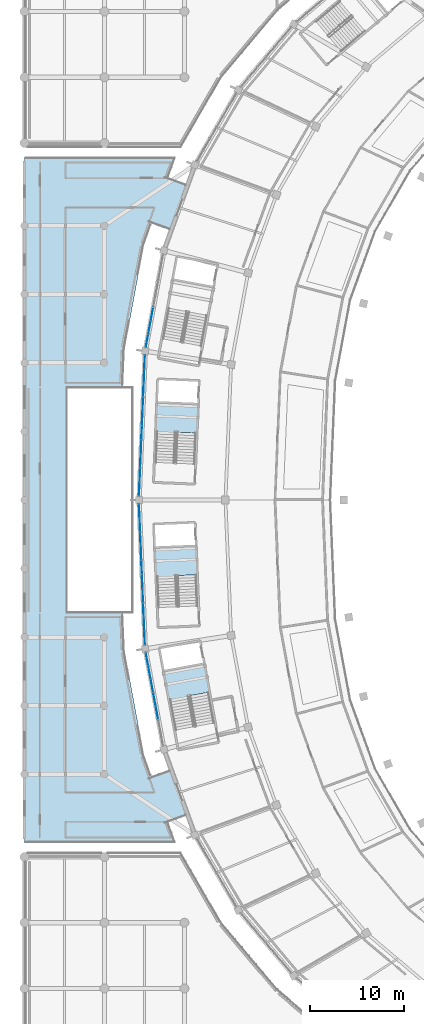
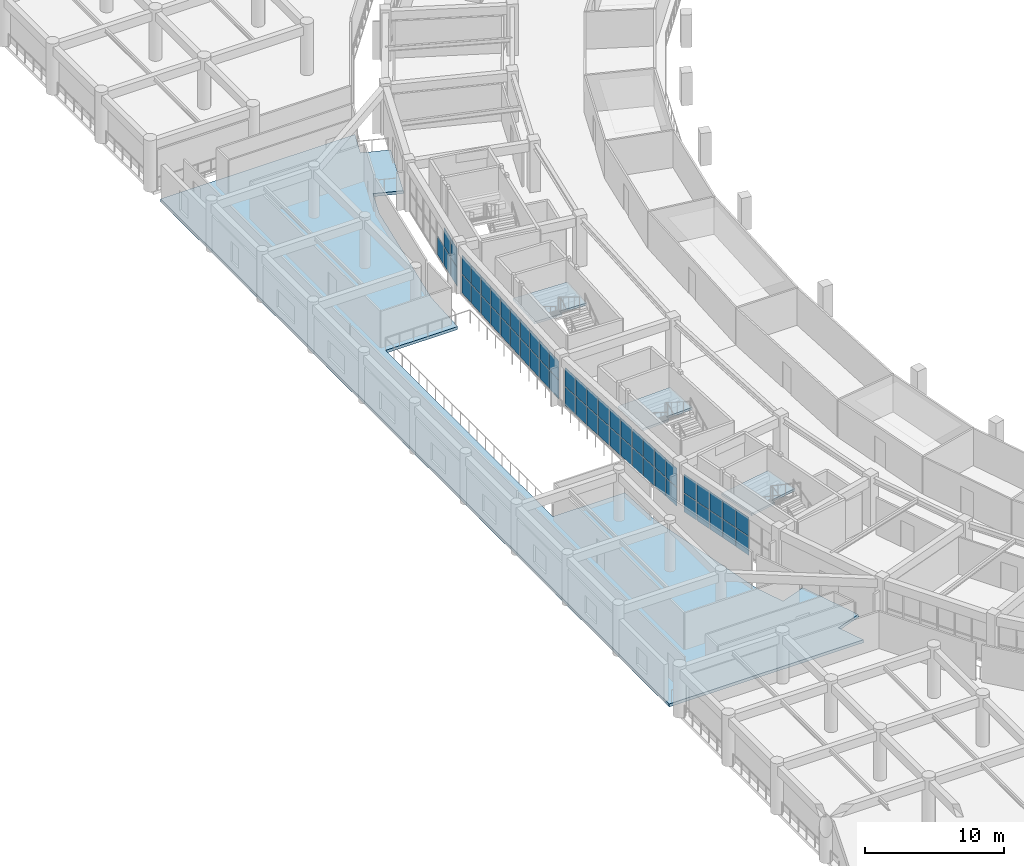
# One storey, part 76 of 141: 55 plates, 4 slabs, 7 elements without a shape of their own.
"""IFC4 building model written with IfcOpenShell, lengths in metres."""

from ifc_helpers import new_model, si_unit, direction, frame, origin, origin_2d, place, context, subcontext, project, spatial, polyline, rectangle, outline, extrude, material, layer, layer_set, type_object, element, aggregate, save


model = new_model("IFC4")

# Units and contexts
model_context = context("Model", 3, precision=1e-05, world=origin(), true_north=direction((0.0, 1.0)))
body_context = subcontext(model_context, "Body", "Model", "MODEL_VIEW")
ifc_project = project(units=[si_unit("LENGTHUNIT", "METRE"), si_unit("AREAUNIT", "SQUARE_METRE"), si_unit("VOLUMEUNIT", "CUBIC_METRE"), si_unit("PLANEANGLEUNIT", "RADIAN"), si_unit("MASSUNIT", "GRAM", prefix="KILO")], contexts=[model_context])

# Site, building, storey
site_placement = place(None, origin())
site = spatial("IfcSite", under=ifc_project, at=site_placement, CompositionType="ELEMENT")
building_placement = place(site_placement, origin())
building = spatial("IfcBuilding", under=site, at=building_placement, Name="Mphavela Belvedere Stadium", CompositionType="ELEMENT")
storey_placement = place(building_placement, frame((0.0, 0.0, 14.699951171875)))
storey = spatial("IfcBuildingStorey", under=building, at=storey_placement, Name="L03", CompositionType="ELEMENT", Elevation=14.699951171875)

# Curtain wall, plates
ifc_material_1 = material(Name="Anodised bronze unitised curtain wall framing")
ifc_layer_1 = layer(ifc_material_1, 0.179931640625)
ifc_layer_set_1 = layer_set([ifc_layer_1], Name="Anodised bronze unitised curtain wall framing")
curtain_wall_type_1 = type_object("IfcCurtainWallType", Name="CW-UNIT-01", PredefinedType="USERDEFINED", material=ifc_layer_set_1)
curtain_wall_1_placement = place(storey_placement, origin())
curtain_wall_1 = element("IfcCurtainWall", 1, at=curtain_wall_1_placement, inside=storey, type_object=curtain_wall_type_1, Name="Belvedere colonnade curtain wall L03-23", ObjectType="UNITISED CURTAIN WALL", PredefinedType="USERDEFINED")
ifc_material_2 = material(Name="Solar-control double glazing", Category="glass")
ifc_layer_2 = layer(ifc_material_2, 0.031982421875)
ifc_layer_set_2 = layer_set([ifc_layer_2], Name="Solar-control double glazing")
plate_type = type_object("IfcPlateType", Name="CWP-SOLAR-GLASS", PredefinedType="CURTAIN_PANEL", material=ifc_layer_set_2)
plate_1_placement = place(storey_placement, frame((13.574951171875, 106.77734375, 0.06005859375), z_axis=(0.0, 0.0, 1.0), x_axis=(-0.182631222254, -0.983181487142, 0.0)))
plate_1 = element("IfcPlate", 2, at=plate_1_placement, type_object=plate_type, Name="CW-01 panel 5.1", PredefinedType="CURTAIN_PANEL", context=body_context, shape_type="SweptSolid", body=[
    extrude(rectangle(XDim=1.3857421875, YDim=0.031982421875, at=origin_2d()), origin(), (0.0, 0.0, 1.0), 1.6201171875),
])
plate_2_placement = place(storey_placement, frame((13.31005859375, 105.35107421875, 0.06005859375), z_axis=(0.0, 0.0, 1.0), x_axis=(-0.182631222254, -0.983181487142, 0.0)))
plate_2 = element("IfcPlate", 3, at=plate_2_placement, type_object=plate_type, Name="CW-01 panel 6.1", PredefinedType="CURTAIN_PANEL", context=body_context, shape_type="SweptSolid", body=[
    extrude(rectangle(XDim=1.3857421875, YDim=0.031982421875, at=origin_2d()), origin(), (0.0, 0.0, 1.0), 1.6201171875),
])
plate_3_placement = place(storey_placement, frame((13.31005859375, 105.35107421875, 1.739990234375), z_axis=(0.0, 0.0, 1.0), x_axis=(-0.182631222254, -0.983181487142, 0.0)))
plate_3 = element("IfcPlate", 4, at=plate_3_placement, type_object=plate_type, Name="CW-01 panel 6.2", PredefinedType="CURTAIN_PANEL", context=body_context, shape_type="SweptSolid", body=[
    extrude(rectangle(XDim=1.3857421875, YDim=0.031982421875, at=origin_2d()), origin(), (0.0, 0.0, 1.0), 1.6201171875),
])
plate_4_placement = place(storey_placement, frame((13.048095703125, 103.94091796875, 0.06005859375), z_axis=(0.0, 0.0, 1.0), x_axis=(-0.182631222254, -0.983181487142, 0.0)))
plate_4 = element("IfcPlate", 5, at=plate_4_placement, type_object=plate_type, Name="CW-01 panel 7.1", PredefinedType="CURTAIN_PANEL", context=body_context, shape_type="SweptSolid", body=[
    extrude(rectangle(XDim=1.353271484375, YDim=0.031982421875, at=origin_2d()), origin(), (0.0, 0.0, 1.0), 1.6201171875),
])
plate_5_placement = place(storey_placement, frame((13.048095703125, 103.94091796875, 1.739990234375), z_axis=(0.0, 0.0, 1.0), x_axis=(-0.182631222254, -0.983181487142, 0.0)))
plate_5 = element("IfcPlate", 6, at=plate_5_placement, type_object=plate_type, Name="CW-01 panel 7.2", PredefinedType="CURTAIN_PANEL", context=body_context, shape_type="SweptSolid", body=[
    extrude(rectangle(XDim=1.353271484375, YDim=0.031982421875, at=origin_2d()), origin(), (0.0, 0.0, 1.0), 1.6201171875),
])
aggregate(curtain_wall_1, [plate_1, plate_2, plate_3, plate_4, plate_5])

ifc_material_3 = material(Name="Anodised bronze unitised curtain wall framing")
ifc_layer_3 = layer(ifc_material_3, 0.18505859375)
ifc_layer_set_3 = layer_set([ifc_layer_3], Name="Anodised bronze unitised curtain wall framing")
curtain_wall_type_2 = type_object("IfcCurtainWallType", Name="CW-UNIT-02", PredefinedType="USERDEFINED", material=ifc_layer_set_3)
curtain_wall_2_placement = place(storey_placement, origin())
curtain_wall_2 = element("IfcCurtainWall", 7, at=curtain_wall_2_placement, inside=storey, type_object=curtain_wall_type_2, Name="Belvedere colonnade curtain wall L03-24", ObjectType="UNITISED CURTAIN WALL", PredefinedType="USERDEFINED")
plate_6_placement = place(storey_placement, frame((12.796630859375, 101.701171875, 0.06005859375), z_axis=(0.0, 0.0, 1.0), x_axis=(-0.041911272788, -0.999121336582, 0.0)))
plate_6 = element("IfcPlate", 8, at=plate_6_placement, type_object=plate_type, Name="CW-02 panel 1.1", PredefinedType="CURTAIN_PANEL", context=body_context, shape_type="SweptSolid", body=[
    extrude(rectangle(XDim=1.413818359375, YDim=0.031982421875, at=origin_2d()), origin(), (0.0, 0.0, 1.0), 1.6201171875),
])
plate_7_placement = place(storey_placement, frame((12.796630859375, 101.701171875, 1.739990234375), z_axis=(0.0, 0.0, 1.0), x_axis=(-0.041911272788, -0.999121336582, 0.0)))
plate_7 = element("IfcPlate", 9, at=plate_7_placement, type_object=plate_type, Name="CW-02 panel 1.2", PredefinedType="CURTAIN_PANEL", context=body_context, shape_type="SweptSolid", body=[
    extrude(rectangle(XDim=1.413818359375, YDim=0.031982421875, at=origin_2d()), origin(), (0.0, 0.0, 1.0), 1.6201171875),
])
plate_8_placement = place(storey_placement, frame((12.73388671875, 100.207275390625, 0.06005859375), z_axis=(0.0, 0.0, 1.0), x_axis=(-0.041911272788, -0.999121336582, 0.0)))
plate_8 = element("IfcPlate", 10, at=plate_8_placement, type_object=plate_type, Name="CW-02 panel 2.1", PredefinedType="CURTAIN_PANEL", context=body_context, shape_type="SweptSolid", body=[
    extrude(rectangle(XDim=1.4462890625, YDim=0.031982421875, at=origin_2d()), origin(), (0.0, 0.0, 1.0), 1.6201171875),
])
plate_9_placement = place(storey_placement, frame((12.73388671875, 100.207275390625, 1.739990234375), z_axis=(0.0, 0.0, 1.0), x_axis=(-0.041911272788, -0.999121336582, 0.0)))
plate_9 = element("IfcPlate", 11, at=plate_9_placement, type_object=plate_type, Name="CW-02 panel 2.2", PredefinedType="CURTAIN_PANEL", context=body_context, shape_type="SweptSolid", body=[
    extrude(rectangle(XDim=1.4462890625, YDim=0.031982421875, at=origin_2d()), origin(), (0.0, 0.0, 1.0), 1.6201171875),
])
plate_10_placement = place(storey_placement, frame((12.670654296875, 98.697509765625, 0.06005859375), z_axis=(0.0, 0.0, 1.0), x_axis=(-0.041911272788, -0.999121336582, 0.0)))
plate_10 = element("IfcPlate", 12, at=plate_10_placement, type_object=plate_type, Name="CW-02 panel 3.1", PredefinedType="CURTAIN_PANEL", context=body_context, shape_type="SweptSolid", body=[
    extrude(rectangle(XDim=1.4462890625, YDim=0.031982421875, at=origin_2d()), origin(), (0.0, 0.0, 1.0), 1.6201171875),
])
plate_11_placement = place(storey_placement, frame((12.670654296875, 98.697509765625, 1.739990234375), z_axis=(0.0, 0.0, 1.0), x_axis=(-0.041911272788, -0.999121336582, 0.0)))
plate_11 = element("IfcPlate", 13, at=plate_11_placement, type_object=plate_type, Name="CW-02 panel 3.2", PredefinedType="CURTAIN_PANEL", context=body_context, shape_type="SweptSolid", body=[
    extrude(rectangle(XDim=1.4462890625, YDim=0.031982421875, at=origin_2d()), origin(), (0.0, 0.0, 1.0), 1.6201171875),
])
plate_12_placement = place(storey_placement, frame((12.607421875, 97.1875, 0.06005859375), z_axis=(0.0, 0.0, 1.0), x_axis=(-0.041911272788, -0.999121336582, 0.0)))
plate_12 = element("IfcPlate", 14, at=plate_12_placement, type_object=plate_type, Name="CW-02 panel 4.1", PredefinedType="CURTAIN_PANEL", context=body_context, shape_type="SweptSolid", body=[
    extrude(rectangle(XDim=1.4462890625, YDim=0.031982421875, at=origin_2d()), origin(), (0.0, 0.0, 1.0), 1.6201171875),
])
plate_13_placement = place(storey_placement, frame((12.607421875, 97.1875, 1.739990234375), z_axis=(0.0, 0.0, 1.0), x_axis=(-0.041911272788, -0.999121336582, 0.0)))
plate_13 = element("IfcPlate", 15, at=plate_13_placement, type_object=plate_type, Name="CW-02 panel 4.2", PredefinedType="CURTAIN_PANEL", context=body_context, shape_type="SweptSolid", body=[
    extrude(rectangle(XDim=1.4462890625, YDim=0.031982421875, at=origin_2d()), origin(), (0.0, 0.0, 1.0), 1.6201171875),
])
plate_14_placement = place(storey_placement, frame((12.5439453125, 95.677490234375, 0.06005859375), z_axis=(0.0, 0.0, 1.0), x_axis=(-0.041911272788, -0.999121336582, 0.0)))
plate_14 = element("IfcPlate", 16, at=plate_14_placement, type_object=plate_type, Name="CW-02 panel 5.1", PredefinedType="CURTAIN_PANEL", context=body_context, shape_type="SweptSolid", body=[
    extrude(rectangle(XDim=1.4462890625, YDim=0.031982421875, at=origin_2d()), origin(), (0.0, 0.0, 1.0), 1.6201171875),
])
plate_15_placement = place(storey_placement, frame((12.5439453125, 95.677490234375, 1.739990234375), z_axis=(0.0, 0.0, 1.0), x_axis=(-0.041911272788, -0.999121336582, 0.0)))
plate_15 = element("IfcPlate", 17, at=plate_15_placement, type_object=plate_type, Name="CW-02 panel 5.2", PredefinedType="CURTAIN_PANEL", context=body_context, shape_type="SweptSolid", body=[
    extrude(rectangle(XDim=1.4462890625, YDim=0.031982421875, at=origin_2d()), origin(), (0.0, 0.0, 1.0), 1.6201171875),
])
plate_16_placement = place(storey_placement, frame((12.480712890625, 94.16748046875, 0.06005859375), z_axis=(0.0, 0.0, 1.0), x_axis=(-0.041911272788, -0.999121336582, 0.0)))
plate_16 = element("IfcPlate", 18, at=plate_16_placement, type_object=plate_type, Name="CW-02 panel 6.1", PredefinedType="CURTAIN_PANEL", context=body_context, shape_type="SweptSolid", body=[
    extrude(rectangle(XDim=1.4462890625, YDim=0.031982421875, at=origin_2d()), origin(), (0.0, 0.0, 1.0), 1.6201171875),
])
plate_17_placement = place(storey_placement, frame((12.480712890625, 94.16748046875, 1.739990234375), z_axis=(0.0, 0.0, 1.0), x_axis=(-0.041911272788, -0.999121336582, 0.0)))
plate_17 = element("IfcPlate", 19, at=plate_17_placement, type_object=plate_type, Name="CW-02 panel 6.2", PredefinedType="CURTAIN_PANEL", context=body_context, shape_type="SweptSolid", body=[
    extrude(rectangle(XDim=1.4462890625, YDim=0.031982421875, at=origin_2d()), origin(), (0.0, 0.0, 1.0), 1.6201171875),
])
plate_18_placement = place(storey_placement, frame((12.417236328125, 92.657470703125, 0.06005859375), z_axis=(0.0, 0.0, 1.0), x_axis=(-0.041911272788, -0.999121336582, 0.0)))
plate_18 = element("IfcPlate", 20, at=plate_18_placement, type_object=plate_type, Name="CW-02 panel 7.1", PredefinedType="CURTAIN_PANEL", context=body_context, shape_type="SweptSolid", body=[
    extrude(rectangle(XDim=1.4462890625, YDim=0.031982421875, at=origin_2d()), origin(), (0.0, 0.0, 1.0), 1.6201171875),
])
plate_19_placement = place(storey_placement, frame((12.417236328125, 92.657470703125, 1.739990234375), z_axis=(0.0, 0.0, 1.0), x_axis=(-0.041911272788, -0.999121336582, 0.0)))
plate_19 = element("IfcPlate", 21, at=plate_19_placement, type_object=plate_type, Name="CW-02 panel 7.2", PredefinedType="CURTAIN_PANEL", context=body_context, shape_type="SweptSolid", body=[
    extrude(rectangle(XDim=1.4462890625, YDim=0.031982421875, at=origin_2d()), origin(), (0.0, 0.0, 1.0), 1.6201171875),
])
plate_20_placement = place(storey_placement, frame((12.35400390625, 91.147705078125, 0.06005859375), z_axis=(0.0, 0.0, 1.0), x_axis=(-0.041911272788, -0.999121336582, 0.0)))
plate_20 = element("IfcPlate", 22, at=plate_20_placement, type_object=plate_type, Name="CW-02 panel 8.1", PredefinedType="CURTAIN_PANEL", context=body_context, shape_type="SweptSolid", body=[
    extrude(rectangle(XDim=1.4462890625, YDim=0.031982421875, at=origin_2d()), origin(), (0.0, 0.0, 1.0), 1.6201171875),
])
plate_21_placement = place(storey_placement, frame((12.35400390625, 91.147705078125, 1.739990234375), z_axis=(0.0, 0.0, 1.0), x_axis=(-0.041911272788, -0.999121336582, 0.0)))
plate_21 = element("IfcPlate", 23, at=plate_21_placement, type_object=plate_type, Name="CW-02 panel 8.2", PredefinedType="CURTAIN_PANEL", context=body_context, shape_type="SweptSolid", body=[
    extrude(rectangle(XDim=1.4462890625, YDim=0.031982421875, at=origin_2d()), origin(), (0.0, 0.0, 1.0), 1.6201171875),
])
plate_22_placement = place(storey_placement, frame((12.29052734375, 89.6376953125, 0.06005859375), z_axis=(0.0, 0.0, 1.0), x_axis=(-0.041911272788, -0.999121336582, 0.0)))
plate_22 = element("IfcPlate", 24, at=plate_22_placement, type_object=plate_type, Name="CW-02 panel 9.1", PredefinedType="CURTAIN_PANEL", context=body_context, shape_type="SweptSolid", body=[
    extrude(rectangle(XDim=1.4462890625, YDim=0.031982421875, at=origin_2d()), origin(), (0.0, 0.0, 1.0), 1.6201171875),
])
plate_23_placement = place(storey_placement, frame((12.29052734375, 89.6376953125, 1.739990234375), z_axis=(0.0, 0.0, 1.0), x_axis=(-0.041911272788, -0.999121336582, 0.0)))
plate_23 = element("IfcPlate", 25, at=plate_23_placement, type_object=plate_type, Name="CW-02 panel 9.2", PredefinedType="CURTAIN_PANEL", context=body_context, shape_type="SweptSolid", body=[
    extrude(rectangle(XDim=1.4462890625, YDim=0.031982421875, at=origin_2d()), origin(), (0.0, 0.0, 1.0), 1.6201171875),
])
plate_24_placement = place(storey_placement, frame((12.22802734375, 88.143798828125, 0.06005859375), z_axis=(0.0, 0.0, 1.0), x_axis=(-0.041911272788, -0.999121336582, 0.0)))
plate_24 = element("IfcPlate", 26, at=plate_24_placement, type_object=plate_type, Name="CW-02 panel 10.1", PredefinedType="CURTAIN_PANEL", context=body_context, shape_type="SweptSolid", body=[
    extrude(rectangle(XDim=1.413818359375, YDim=0.031982421875, at=origin_2d()), origin(), (0.0, 0.0, 1.0), 1.6201171875),
])
plate_25_placement = place(storey_placement, frame((12.22802734375, 88.143798828125, 1.739990234375), z_axis=(0.0, 0.0, 1.0), x_axis=(-0.041911272788, -0.999121336582, 0.0)))
plate_25 = element("IfcPlate", 27, at=plate_25_placement, type_object=plate_type, Name="CW-02 panel 10.2", PredefinedType="CURTAIN_PANEL", context=body_context, shape_type="SweptSolid", body=[
    extrude(rectangle(XDim=1.413818359375, YDim=0.031982421875, at=origin_2d()), origin(), (0.0, 0.0, 1.0), 1.6201171875),
])
aggregate(curtain_wall_2, [plate_6, plate_7, plate_8, plate_9, plate_10, plate_11, plate_12, plate_13, plate_14, plate_15, plate_16, plate_17, plate_18, plate_19, plate_20, plate_21, plate_22, plate_23, plate_24, plate_25])

ifc_material_4 = material(Name="Anodised bronze unitised curtain wall framing")
ifc_layer_4 = layer(ifc_material_4, 0.18994140625)
ifc_layer_set_4 = layer_set([ifc_layer_4], Name="Anodised bronze unitised curtain wall framing")
curtain_wall_type_3 = type_object("IfcCurtainWallType", Name="CW-UNIT-03", PredefinedType="USERDEFINED", material=ifc_layer_set_4)
curtain_wall_3_placement = place(storey_placement, origin())
curtain_wall_3 = element("IfcCurtainWall", 28, at=curtain_wall_3_placement, inside=storey, type_object=curtain_wall_type_3, Name="Belvedere colonnade curtain wall L03-25", ObjectType="UNITISED CURTAIN WALL", PredefinedType="USERDEFINED")
plate_26_placement = place(storey_placement, frame((12.22802734375, 85.856201171875, 0.06005859375), z_axis=(0.0, 0.0, 1.0), x_axis=(0.041911272788, -0.999121336582, 0.0)))
plate_26 = element("IfcPlate", 29, at=plate_26_placement, type_object=plate_type, Name="CW-03 panel 1.1", PredefinedType="CURTAIN_PANEL", context=body_context, shape_type="SweptSolid", body=[
    extrude(rectangle(XDim=1.413818359375, YDim=0.031982421875, at=origin_2d()), origin(), (0.0, 0.0, 1.0), 1.6201171875),
])
plate_27_placement = place(storey_placement, frame((12.22802734375, 85.856201171875, 1.739990234375), z_axis=(0.0, 0.0, 1.0), x_axis=(0.041911272788, -0.999121336582, 0.0)))
plate_27 = element("IfcPlate", 30, at=plate_27_placement, type_object=plate_type, Name="CW-03 panel 1.2", PredefinedType="CURTAIN_PANEL", context=body_context, shape_type="SweptSolid", body=[
    extrude(rectangle(XDim=1.413818359375, YDim=0.031982421875, at=origin_2d()), origin(), (0.0, 0.0, 1.0), 1.6201171875),
])
plate_28_placement = place(storey_placement, frame((12.29052734375, 84.3623046875, 0.06005859375), z_axis=(0.0, 0.0, 1.0), x_axis=(0.041911272788, -0.999121336582, 0.0)))
plate_28 = element("IfcPlate", 31, at=plate_28_placement, type_object=plate_type, Name="CW-03 panel 2.1", PredefinedType="CURTAIN_PANEL", context=body_context, shape_type="SweptSolid", body=[
    extrude(rectangle(XDim=1.4462890625, YDim=0.031982421875, at=origin_2d()), origin(), (0.0, 0.0, 1.0), 1.6201171875),
])
plate_29_placement = place(storey_placement, frame((12.29052734375, 84.3623046875, 1.739990234375), z_axis=(0.0, 0.0, 1.0), x_axis=(0.041911272788, -0.999121336582, 0.0)))
plate_29 = element("IfcPlate", 32, at=plate_29_placement, type_object=plate_type, Name="CW-03 panel 2.2", PredefinedType="CURTAIN_PANEL", context=body_context, shape_type="SweptSolid", body=[
    extrude(rectangle(XDim=1.4462890625, YDim=0.031982421875, at=origin_2d()), origin(), (0.0, 0.0, 1.0), 1.6201171875),
])
plate_30_placement = place(storey_placement, frame((12.35400390625, 82.852294921875, 0.06005859375), z_axis=(0.0, 0.0, 1.0), x_axis=(0.041911272788, -0.999121336582, 0.0)))
plate_30 = element("IfcPlate", 33, at=plate_30_placement, type_object=plate_type, Name="CW-03 panel 3.1", PredefinedType="CURTAIN_PANEL", context=body_context, shape_type="SweptSolid", body=[
    extrude(rectangle(XDim=1.4462890625, YDim=0.031982421875, at=origin_2d()), origin(), (0.0, 0.0, 1.0), 1.6201171875),
])
plate_31_placement = place(storey_placement, frame((12.35400390625, 82.852294921875, 1.739990234375), z_axis=(0.0, 0.0, 1.0), x_axis=(0.041911272788, -0.999121336582, 0.0)))
plate_31 = element("IfcPlate", 34, at=plate_31_placement, type_object=plate_type, Name="CW-03 panel 3.2", PredefinedType="CURTAIN_PANEL", context=body_context, shape_type="SweptSolid", body=[
    extrude(rectangle(XDim=1.4462890625, YDim=0.031982421875, at=origin_2d()), origin(), (0.0, 0.0, 1.0), 1.6201171875),
])
plate_32_placement = place(storey_placement, frame((12.417236328125, 81.342529296875, 0.06005859375), z_axis=(0.0, 0.0, 1.0), x_axis=(0.041911272788, -0.999121336582, 0.0)))
plate_32 = element("IfcPlate", 35, at=plate_32_placement, type_object=plate_type, Name="CW-03 panel 4.1", PredefinedType="CURTAIN_PANEL", context=body_context, shape_type="SweptSolid", body=[
    extrude(rectangle(XDim=1.4462890625, YDim=0.031982421875, at=origin_2d()), origin(), (0.0, 0.0, 1.0), 1.6201171875),
])
plate_33_placement = place(storey_placement, frame((12.417236328125, 81.342529296875, 1.739990234375), z_axis=(0.0, 0.0, 1.0), x_axis=(0.041911272788, -0.999121336582, 0.0)))
plate_33 = element("IfcPlate", 36, at=plate_33_placement, type_object=plate_type, Name="CW-03 panel 4.2", PredefinedType="CURTAIN_PANEL", context=body_context, shape_type="SweptSolid", body=[
    extrude(rectangle(XDim=1.4462890625, YDim=0.031982421875, at=origin_2d()), origin(), (0.0, 0.0, 1.0), 1.6201171875),
])
plate_34_placement = place(storey_placement, frame((12.480712890625, 79.83251953125, 0.06005859375), z_axis=(0.0, 0.0, 1.0), x_axis=(0.041911272788, -0.999121336582, 0.0)))
plate_34 = element("IfcPlate", 37, at=plate_34_placement, type_object=plate_type, Name="CW-03 panel 5.1", PredefinedType="CURTAIN_PANEL", context=body_context, shape_type="SweptSolid", body=[
    extrude(rectangle(XDim=1.4462890625, YDim=0.031982421875, at=origin_2d()), origin(), (0.0, 0.0, 1.0), 1.6201171875),
])
plate_35_placement = place(storey_placement, frame((12.480712890625, 79.83251953125, 1.739990234375), z_axis=(0.0, 0.0, 1.0), x_axis=(0.041911272788, -0.999121336582, 0.0)))
plate_35 = element("IfcPlate", 38, at=plate_35_placement, type_object=plate_type, Name="CW-03 panel 5.2", PredefinedType="CURTAIN_PANEL", context=body_context, shape_type="SweptSolid", body=[
    extrude(rectangle(XDim=1.4462890625, YDim=0.031982421875, at=origin_2d()), origin(), (0.0, 0.0, 1.0), 1.6201171875),
])
plate_36_placement = place(storey_placement, frame((12.5439453125, 78.322509765625, 0.06005859375), z_axis=(0.0, 0.0, 1.0), x_axis=(0.041911272788, -0.999121336582, 0.0)))
plate_36 = element("IfcPlate", 39, at=plate_36_placement, type_object=plate_type, Name="CW-03 panel 6.1", PredefinedType="CURTAIN_PANEL", context=body_context, shape_type="SweptSolid", body=[
    extrude(rectangle(XDim=1.4462890625, YDim=0.031982421875, at=origin_2d()), origin(), (0.0, 0.0, 1.0), 1.6201171875),
])
plate_37_placement = place(storey_placement, frame((12.5439453125, 78.322509765625, 1.739990234375), z_axis=(0.0, 0.0, 1.0), x_axis=(0.041911272788, -0.999121336582, 0.0)))
plate_37 = element("IfcPlate", 40, at=plate_37_placement, type_object=plate_type, Name="CW-03 panel 6.2", PredefinedType="CURTAIN_PANEL", context=body_context, shape_type="SweptSolid", body=[
    extrude(rectangle(XDim=1.4462890625, YDim=0.031982421875, at=origin_2d()), origin(), (0.0, 0.0, 1.0), 1.6201171875),
])
plate_38_placement = place(storey_placement, frame((12.607421875, 76.8125, 0.06005859375), z_axis=(0.0, 0.0, 1.0), x_axis=(0.041911272788, -0.999121336582, 0.0)))
plate_38 = element("IfcPlate", 41, at=plate_38_placement, type_object=plate_type, Name="CW-03 panel 7.1", PredefinedType="CURTAIN_PANEL", context=body_context, shape_type="SweptSolid", body=[
    extrude(rectangle(XDim=1.4462890625, YDim=0.031982421875, at=origin_2d()), origin(), (0.0, 0.0, 1.0), 1.6201171875),
])
plate_39_placement = place(storey_placement, frame((12.607421875, 76.8125, 1.739990234375), z_axis=(0.0, 0.0, 1.0), x_axis=(0.041911272788, -0.999121336582, 0.0)))
plate_39 = element("IfcPlate", 42, at=plate_39_placement, type_object=plate_type, Name="CW-03 panel 7.2", PredefinedType="CURTAIN_PANEL", context=body_context, shape_type="SweptSolid", body=[
    extrude(rectangle(XDim=1.4462890625, YDim=0.031982421875, at=origin_2d()), origin(), (0.0, 0.0, 1.0), 1.6201171875),
])
plate_40_placement = place(storey_placement, frame((12.670654296875, 75.302490234375, 0.06005859375), z_axis=(0.0, 0.0, 1.0), x_axis=(0.041911272788, -0.999121336582, 0.0)))
plate_40 = element("IfcPlate", 43, at=plate_40_placement, type_object=plate_type, Name="CW-03 panel 8.1", PredefinedType="CURTAIN_PANEL", context=body_context, shape_type="SweptSolid", body=[
    extrude(rectangle(XDim=1.4462890625, YDim=0.031982421875, at=origin_2d()), origin(), (0.0, 0.0, 1.0), 1.6201171875),
])
plate_41_placement = place(storey_placement, frame((12.670654296875, 75.302490234375, 1.739990234375), z_axis=(0.0, 0.0, 1.0), x_axis=(0.041911272788, -0.999121336582, 0.0)))
plate_41 = element("IfcPlate", 44, at=plate_41_placement, type_object=plate_type, Name="CW-03 panel 8.2", PredefinedType="CURTAIN_PANEL", context=body_context, shape_type="SweptSolid", body=[
    extrude(rectangle(XDim=1.4462890625, YDim=0.031982421875, at=origin_2d()), origin(), (0.0, 0.0, 1.0), 1.6201171875),
])
plate_42_placement = place(storey_placement, frame((12.73388671875, 73.792724609375, 0.06005859375), z_axis=(0.0, 0.0, 1.0), x_axis=(0.041911272788, -0.999121336582, 0.0)))
plate_42 = element("IfcPlate", 45, at=plate_42_placement, type_object=plate_type, Name="CW-03 panel 9.1", PredefinedType="CURTAIN_PANEL", context=body_context, shape_type="SweptSolid", body=[
    extrude(rectangle(XDim=1.4462890625, YDim=0.031982421875, at=origin_2d()), origin(), (0.0, 0.0, 1.0), 1.6201171875),
])
plate_43_placement = place(storey_placement, frame((12.73388671875, 73.792724609375, 1.739990234375), z_axis=(0.0, 0.0, 1.0), x_axis=(0.041911272788, -0.999121336582, 0.0)))
plate_43 = element("IfcPlate", 46, at=plate_43_placement, type_object=plate_type, Name="CW-03 panel 9.2", PredefinedType="CURTAIN_PANEL", context=body_context, shape_type="SweptSolid", body=[
    extrude(rectangle(XDim=1.4462890625, YDim=0.031982421875, at=origin_2d()), origin(), (0.0, 0.0, 1.0), 1.6201171875),
])
plate_44_placement = place(storey_placement, frame((12.796630859375, 72.298828125, 0.06005859375), z_axis=(0.0, 0.0, 1.0), x_axis=(0.041911272788, -0.999121336582, 0.0)))
plate_44 = element("IfcPlate", 47, at=plate_44_placement, type_object=plate_type, Name="CW-03 panel 10.1", PredefinedType="CURTAIN_PANEL", context=body_context, shape_type="SweptSolid", body=[
    extrude(rectangle(XDim=1.413818359375, YDim=0.031982421875, at=origin_2d()), origin(), (0.0, 0.0, 1.0), 1.6201171875),
])
plate_45_placement = place(storey_placement, frame((12.796630859375, 72.298828125, 1.739990234375), z_axis=(0.0, 0.0, 1.0), x_axis=(0.041911272788, -0.999121336582, 0.0)))
plate_45 = element("IfcPlate", 48, at=plate_45_placement, type_object=plate_type, Name="CW-03 panel 10.2", PredefinedType="CURTAIN_PANEL", context=body_context, shape_type="SweptSolid", body=[
    extrude(rectangle(XDim=1.413818359375, YDim=0.031982421875, at=origin_2d()), origin(), (0.0, 0.0, 1.0), 1.6201171875),
])
aggregate(curtain_wall_3, [plate_26, plate_27, plate_28, plate_29, plate_30, plate_31, plate_32, plate_33, plate_34, plate_35, plate_36, plate_37, plate_38, plate_39, plate_40, plate_41, plate_42, plate_43, plate_44, plate_45])

ifc_material_5 = material(Name="Anodised bronze unitised curtain wall framing")
ifc_layer_5 = layer(ifc_material_5, 0.195068359375)
ifc_layer_set_5 = layer_set([ifc_layer_5], Name="Anodised bronze unitised curtain wall framing")
curtain_wall_type_4 = type_object("IfcCurtainWallType", Name="CW-UNIT-04", PredefinedType="USERDEFINED", material=ifc_layer_set_5)
curtain_wall_4_placement = place(storey_placement, origin())
curtain_wall_4 = element("IfcCurtainWall", 49, at=curtain_wall_4_placement, inside=storey, type_object=curtain_wall_type_4, Name="Belvedere colonnade curtain wall L03-26", ObjectType="UNITISED CURTAIN WALL", PredefinedType="USERDEFINED")
plate_46_placement = place(storey_placement, frame((13.048095703125, 70.05908203125, 0.06005859375), z_axis=(0.0, 0.0, 1.0), x_axis=(0.182631222254, -0.983181487142, 0.0)))
plate_46 = element("IfcPlate", 50, at=plate_46_placement, type_object=plate_type, Name="CW-04 panel 1.1", PredefinedType="CURTAIN_PANEL", context=body_context, shape_type="SweptSolid", body=[
    extrude(rectangle(XDim=1.353271484375, YDim=0.031982421875, at=origin_2d()), origin(), (0.0, 0.0, 1.0), 1.6201171875),
])
plate_47_placement = place(storey_placement, frame((13.048095703125, 70.05908203125, 1.739990234375), z_axis=(0.0, 0.0, 1.0), x_axis=(0.182631222254, -0.983181487142, 0.0)))
plate_47 = element("IfcPlate", 51, at=plate_47_placement, type_object=plate_type, Name="CW-04 panel 1.2", PredefinedType="CURTAIN_PANEL", context=body_context, shape_type="SweptSolid", body=[
    extrude(rectangle(XDim=1.353271484375, YDim=0.031982421875, at=origin_2d()), origin(), (0.0, 0.0, 1.0), 1.6201171875),
])
plate_48_placement = place(storey_placement, frame((13.31005859375, 68.64892578125, 0.06005859375), z_axis=(0.0, 0.0, 1.0), x_axis=(0.182631222254, -0.983181487142, 0.0)))
plate_48 = element("IfcPlate", 52, at=plate_48_placement, type_object=plate_type, Name="CW-04 panel 2.1", PredefinedType="CURTAIN_PANEL", context=body_context, shape_type="SweptSolid", body=[
    extrude(rectangle(XDim=1.3857421875, YDim=0.031982421875, at=origin_2d()), origin(), (0.0, 0.0, 1.0), 1.6201171875),
])
plate_49_placement = place(storey_placement, frame((13.31005859375, 68.64892578125, 1.739990234375), z_axis=(0.0, 0.0, 1.0), x_axis=(0.182631222254, -0.983181487142, 0.0)))
plate_49 = element("IfcPlate", 53, at=plate_49_placement, type_object=plate_type, Name="CW-04 panel 2.2", PredefinedType="CURTAIN_PANEL", context=body_context, shape_type="SweptSolid", body=[
    extrude(rectangle(XDim=1.3857421875, YDim=0.031982421875, at=origin_2d()), origin(), (0.0, 0.0, 1.0), 1.6201171875),
])
plate_50_placement = place(storey_placement, frame((13.574951171875, 67.22265625, 0.06005859375), z_axis=(0.0, 0.0, 1.0), x_axis=(0.182631222254, -0.983181487142, 0.0)))
plate_50 = element("IfcPlate", 54, at=plate_50_placement, type_object=plate_type, Name="CW-04 panel 3.1", PredefinedType="CURTAIN_PANEL", context=body_context, shape_type="SweptSolid", body=[
    extrude(rectangle(XDim=1.3857421875, YDim=0.031982421875, at=origin_2d()), origin(), (0.0, 0.0, 1.0), 1.6201171875),
])
plate_51_placement = place(storey_placement, frame((13.574951171875, 67.22265625, 1.739990234375), z_axis=(0.0, 0.0, 1.0), x_axis=(0.182631222254, -0.983181487142, 0.0)))
plate_51 = element("IfcPlate", 55, at=plate_51_placement, type_object=plate_type, Name="CW-04 panel 3.2", PredefinedType="CURTAIN_PANEL", context=body_context, shape_type="SweptSolid", body=[
    extrude(rectangle(XDim=1.3857421875, YDim=0.031982421875, at=origin_2d()), origin(), (0.0, 0.0, 1.0), 1.6201171875),
])
plate_52_placement = place(storey_placement, frame((13.840087890625, 65.796142578125, 0.06005859375), z_axis=(0.0, 0.0, 1.0), x_axis=(0.182631222254, -0.983181487142, 0.0)))
plate_52 = element("IfcPlate", 56, at=plate_52_placement, type_object=plate_type, Name="CW-04 panel 4.1", PredefinedType="CURTAIN_PANEL", context=body_context, shape_type="SweptSolid", body=[
    extrude(rectangle(XDim=1.3857421875, YDim=0.031982421875, at=origin_2d()), origin(), (0.0, 0.0, 1.0), 1.6201171875),
])
plate_53_placement = place(storey_placement, frame((13.840087890625, 65.796142578125, 1.739990234375), z_axis=(0.0, 0.0, 1.0), x_axis=(0.182631222254, -0.983181487142, 0.0)))
plate_53 = element("IfcPlate", 57, at=plate_53_placement, type_object=plate_type, Name="CW-04 panel 4.2", PredefinedType="CURTAIN_PANEL", context=body_context, shape_type="SweptSolid", body=[
    extrude(rectangle(XDim=1.3857421875, YDim=0.031982421875, at=origin_2d()), origin(), (0.0, 0.0, 1.0), 1.6201171875),
])
plate_54_placement = place(storey_placement, frame((14.10498046875, 64.369873046875, 0.06005859375), z_axis=(0.0, 0.0, 1.0), x_axis=(0.182631222254, -0.983181487142, 0.0)))
plate_54 = element("IfcPlate", 58, at=plate_54_placement, type_object=plate_type, Name="CW-04 panel 5.1", PredefinedType="CURTAIN_PANEL", context=body_context, shape_type="SweptSolid", body=[
    extrude(rectangle(XDim=1.3857421875, YDim=0.031982421875, at=origin_2d()), origin(), (0.0, 0.0, 1.0), 1.6201171875),
])
plate_55_placement = place(storey_placement, frame((14.10498046875, 64.369873046875, 1.739990234375), z_axis=(0.0, 0.0, 1.0), x_axis=(0.182631222254, -0.983181487142, 0.0)))
plate_55 = element("IfcPlate", 59, at=plate_55_placement, type_object=plate_type, Name="CW-04 panel 5.2", PredefinedType="CURTAIN_PANEL", context=body_context, shape_type="SweptSolid", body=[
    extrude(rectangle(XDim=1.3857421875, YDim=0.031982421875, at=origin_2d()), origin(), (0.0, 0.0, 1.0), 1.6201171875),
])
aggregate(curtain_wall_4, [plate_46, plate_47, plate_48, plate_49, plate_50, plate_51, plate_52, plate_53, plate_54, plate_55])

# Stair, slab
ifc_material_6 = material(Name="Concrete C40/50", Category="concrete")
stair_type_1 = type_object("IfcStairType", Name="STR-HALF-TURN-1", PredefinedType="HALF_TURN_STAIR", material=ifc_material_6)
stair_1_placement = place(storey_placement, origin())
stair_1 = element("IfcStair", 60, at=stair_1_placement, inside=storey, type_object=stair_type_1, Name="L03 Escape stair core C07", PredefinedType="HALF_TURN_STAIR")
ifc_material_7 = material(Name="Concrete C40/50", Category="concrete")
ifc_layer_6 = layer(ifc_material_7, 0.199951171875)
ifc_layer_set_6 = layer_set([ifc_layer_6], Name="Concrete C40/50")
slab_type_1 = type_object("IfcSlabType", Name="SLB-LANDING-200", PredefinedType="LANDING", material=ifc_layer_set_6)
slab_1_placement = place(storey_placement, frame((0.0, 0.0, 2.050048828125)))
slab_1 = element("IfcSlab", 61, at=slab_1_placement, type_object=slab_type_1, Name="ST-C07 landing 1", PredefinedType="LANDING", context=body_context, shape_type="SweptSolid", body=[
    extrude(outline(polyline([(18.3818359375, 94.132568359375), (18.506591796875, 97.113037109375), (14.08056640625, 97.298583984375), (13.94091796875, 93.96337890625), (16.15380859375, 93.87060546875), (16.168701171875, 94.225341796875), (18.3818359375, 94.132568359375)])), origin(), (0.0, 0.0, 1.0), 0.199951171875),
])
aggregate(stair_1, [slab_1])

ifc_material_8 = material(Name="Concrete C40/50", Category="concrete")
stair_type_2 = type_object("IfcStairType", Name="STR-HALF-TURN-2", PredefinedType="HALF_TURN_STAIR", material=ifc_material_8)
stair_2_placement = place(storey_placement, origin())
stair_2 = element("IfcStair", 62, at=stair_2_placement, inside=storey, type_object=stair_type_2, Name="L03 Escape stair core C08", PredefinedType="HALF_TURN_STAIR")
slab_2_placement = place(storey_placement, frame((0.0, 0.0, 2.050048828125)))
slab_2 = element("IfcSlab", 63, at=slab_2_placement, type_object=slab_type_1, Name="ST-C08 landing 1", PredefinedType="LANDING", context=body_context, shape_type="SweptSolid", body=[
    extrude(outline(polyline([(18.416259765625, 79.0419921875), (18.29150390625, 82.0224609375), (13.865234375, 81.8369140625), (14.005126953125, 78.501953125), (16.218017578125, 78.5947265625), (16.203125, 78.949462890625), (18.416259765625, 79.0419921875)])), origin(), (0.0, 0.0, 1.0), 0.199951171875),
])
aggregate(stair_2, [slab_2])

ifc_material_9 = material(Name="Concrete C40/50", Category="concrete")
stair_type_3 = type_object("IfcStairType", Name="STR-HALF-TURN-3", PredefinedType="HALF_TURN_STAIR", material=ifc_material_9)
stair_3_placement = place(storey_placement, origin())
stair_3 = element("IfcStair", 64, at=stair_3_placement, inside=storey, type_object=stair_type_3, Name="L03 Escape stair core C09", PredefinedType="HALF_TURN_STAIR")
slab_3_placement = place(storey_placement, frame((0.0, 0.0, 2.050048828125)))
slab_3 = element("IfcSlab", 65, at=slab_3_placement, type_object=slab_type_1, Name="ST-C09 landing 1", PredefinedType="LANDING", context=body_context, shape_type="SweptSolid", body=[
    extrude(outline(polyline([(19.71923828125, 66.554443359375), (19.174560546875, 69.4873046875), (14.819091796875, 68.678466796875), (15.428466796875, 65.396484375), (17.606201171875, 65.801025390625), (17.54150390625, 66.14990234375), (19.71923828125, 66.554443359375)])), origin(), (0.0, 0.0, 1.0), 0.199951171875),
])
aggregate(stair_3, [slab_3])

# Slab
ifc_material_10 = material(Name="Concrete C40/50", Category="concrete")
ifc_layer_7 = layer(ifc_material_10, 0.260009765625)
ifc_layer_set_7 = layer_set([ifc_layer_7], Name="Concrete C40/50")
slab_type_2 = type_object("IfcSlabType", Name="SLB-PAVILION-260", PredefinedType="FLOOR", material=ifc_layer_set_7)
slab_4_placement = place(storey_placement, frame((0.0, 0.0, -0.260009765625)))
element("IfcSlab", 66, at=slab_4_placement, inside=storey, type_object=slab_type_2, Name="West Planted Eaves Peristyle Colonnade floor slab L03-1", PredefinedType="FLOOR", context=body_context, shape_type="SweptSolid", body=[
    extrude(outline(polyline([(15.30810546875, 121.31689453125), (17.376220703125, 120.56640625), (15.60302734375, 115.67822265625), (13.534912109375, 116.428466796875), (12.767333984375, 114.312744140625), (12.712646484375, 114.140380859375), (12.67236328125, 113.96435546875), (10.681640625, 103.246826171875), (10.646484375, 102.937255859375), (10.4814453125, 99.0), (4.5, 99.0), (4.5, 75.0), (10.4814453125, 75.0), (10.646484375, 71.062744140625), (10.681640625, 70.753173828125), (12.67236328125, 60.03564453125), (12.712646484375, 59.859619140625), (12.767333984375, 59.687255859375), (13.534912109375, 57.571533203125), (15.60302734375, 58.32177734375), (17.376220703125, 53.43359375), (15.30810546875, 52.68310546875), (16.103759765625, 50.5), (0.0, 50.5), (0.0, 123.5), (16.103759765625, 123.5), (15.30810546875, 121.31689453125)])), origin(), (0.0, 0.0, 1.0), 0.260009765625),
])

save(model, "model.ifc")
